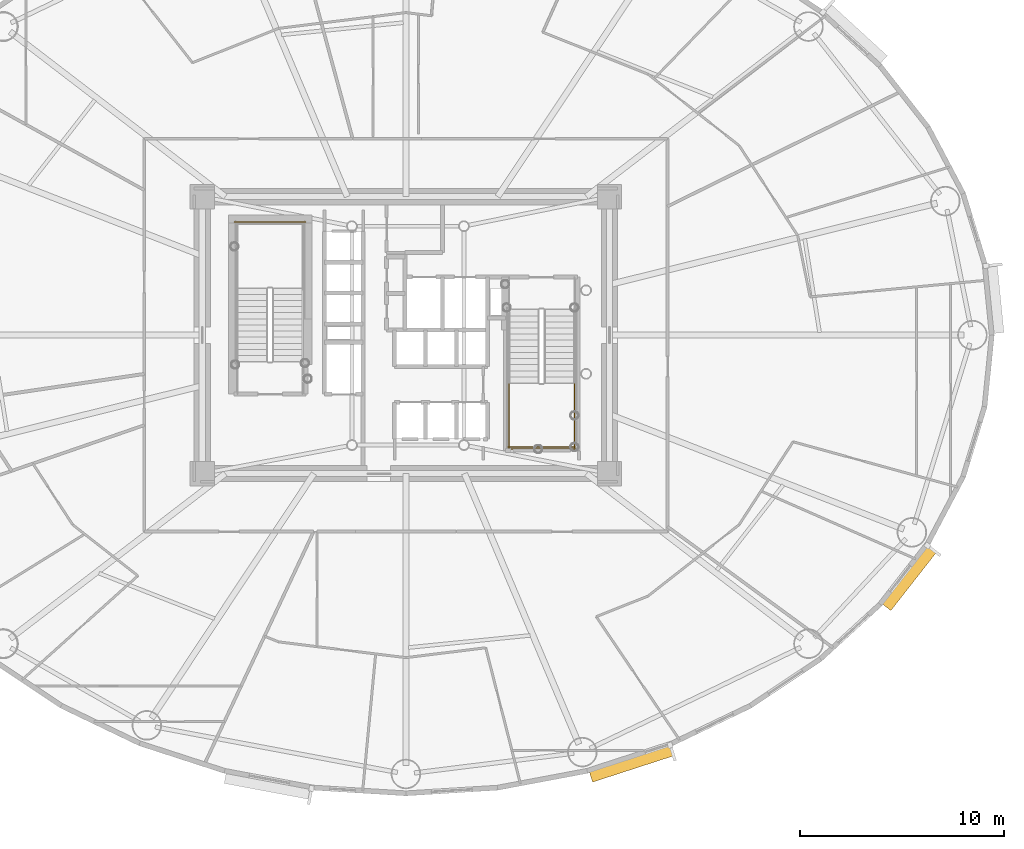
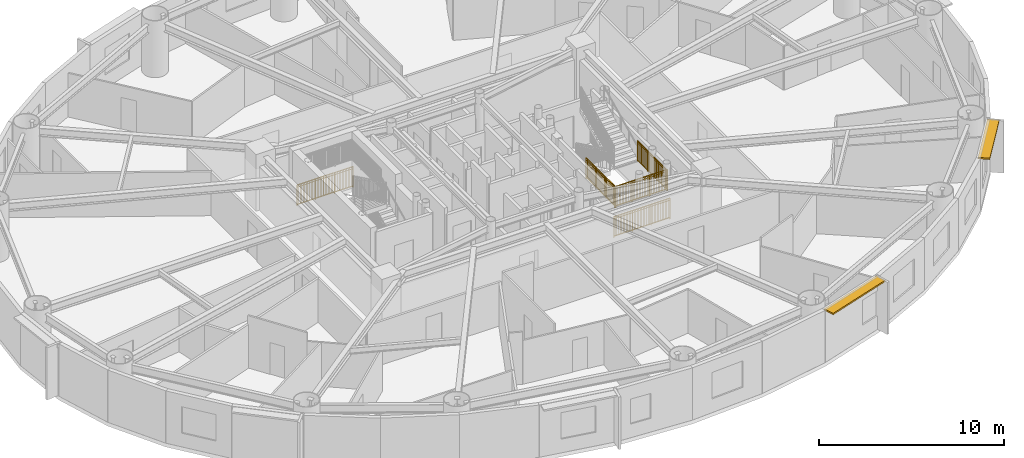
# One storey, part 15 of 17: 5 railings, 2 shading devices.
"""IFC4 building model written with IfcOpenShell, lengths in metres."""

import ifcopenshell
import ifcopenshell.guid

model = None  # the IFC model being written
_history = None  # IfcOwnerHistory: only IFC2X3 demands one
_inside = {}  # id of a spatial element -> (the spatial element, [elements in it])
_under = {}  # id of a project, library or spatial element -> (it, [spatial elements below it])
_declared = {}  # id of a project -> (the project, [libraries it declares])
_typed = {}  # id of a type object -> (the type object, [elements of that type])
_made_of = {}  # id of a material, layer set ... -> (it, [elements and type objects made of it])


def new_model(schema):
    """Start an empty IFC model of exactly this schema.

    Asked for "IFC4X3", IfcOpenShell would pick the latest addendum, in which some entities
    have other attributes; the version numbers below select the first issue.
    IFC2X3 requires an IfcOwnerHistory on every rooted entity: one is made here for all.
    """
    global model, _history
    if schema == "IFC4X3":
        model = ifcopenshell.file(schema_version=(4, 3, 0, 0))
    else:
        model = ifcopenshell.file(schema=schema)
    _inside.clear()
    _under.clear()
    _declared.clear()
    _typed.clear()
    _made_of.clear()
    _history = None
    if model.schema == "IFC2X3":
        org = make("IfcOrganization", Name="unknown")
        user = make(
            "IfcPersonAndOrganization",
            ThePerson=make("IfcPerson", FamilyName="unknown"),
            TheOrganization=org,
        )
        app = make(
            "IfcApplication",
            ApplicationDeveloper=org,
            Version="unknown",
            ApplicationFullName="unknown",
            ApplicationIdentifier="unknown",
        )
        _history = make(
            "IfcOwnerHistory",
            OwningUser=user,
            OwningApplication=app,
            ChangeAction="ADDED",
            CreationDate=0,
        )
    return model


def make(cls, **values):
    """One entity of the class cls with the attributes given. An attribute that is None is left unset."""
    return model.create_entity(
        cls, **{name: value for name, value in values.items() if value is not None}
    )


def rooted(cls, **values):
    """An entity with a GlobalId (a new one), such as an element, a storey or a relation."""
    return make(cls, GlobalId=ifcopenshell.guid.new(), OwnerHistory=_history, **values)


def si_unit(unit_type, name, prefix=None):
    """IfcSIUnit, for example si_unit("LENGTHUNIT", "METRE", prefix="MILLI")."""
    return make("IfcSIUnit", UnitType=unit_type, Prefix=prefix, Name=name)


def assignment(units):
    """IfcUnitAssignment: the units of a project."""
    return None if units is None else make("IfcUnitAssignment", Units=units)


def point(xyz):
    """IfcCartesianPoint."""
    return None if xyz is None else make("IfcCartesianPoint", Coordinates=xyz)


def direction(xyz):
    """IfcDirection."""
    return None if xyz is None else make("IfcDirection", DirectionRatios=xyz)


def frame(location, z_axis=None, x_axis=None):
    """IfcAxis2Placement3D, a coordinate frame: its origin and axes. An axis left out is left unset."""
    return make(
        "IfcAxis2Placement3D",
        Location=point(location),
        Axis=direction(z_axis),
        RefDirection=direction(x_axis),
    )


def frame_2d(location, x_axis=None):
    """IfcAxis2Placement2D, a coordinate frame in the plane: its origin and x axis."""
    return make(
        "IfcAxis2Placement2D", Location=point(location), RefDirection=direction(x_axis)
    )


def origin():
    """The frame at (0, 0, 0) with its axes left unset."""
    return frame((0.0, 0.0, 0.0))


def origin_2d():
    """The frame at (0, 0) in the plane with its x axis left unset."""
    return frame_2d((0.0, 0.0))


def place(relative_to, where):
    """IfcLocalPlacement: puts the frame where relative to a parent placement (None: the world)."""
    return make(
        "IfcLocalPlacement", PlacementRelTo=relative_to, RelativePlacement=where
    )


def context(
    kind, dimensions, precision=None, world=None, true_north=None, identifier=None
):
    """IfcGeometricRepresentationContext, for example the 3D "Model" context."""
    return make(
        "IfcGeometricRepresentationContext",
        ContextIdentifier=identifier,
        ContextType=kind,
        CoordinateSpaceDimension=dimensions,
        Precision=precision,
        WorldCoordinateSystem=world,
        TrueNorth=true_north,
    )


def subcontext(parent, identifier, kind, view, scale=None):
    """IfcGeometricRepresentationSubContext, for example "Body" below "Model"."""
    return make(
        "IfcGeometricRepresentationSubContext",
        ContextIdentifier=identifier,
        ContextType=kind,
        ParentContext=parent,
        TargetScale=scale,
        TargetView=view,
    )


def project(units=None, contexts=None):
    """IfcProject with its units and contexts."""
    return rooted(
        "IfcProject",
        Name="project",
        RepresentationContexts=contexts,
        UnitsInContext=assignment(units),
    )


def spatial(cls, under=None, at=None, **own):
    """A site, building, storey or space (cls), placed at a placement, below another one or the project."""
    s = rooted(cls, ObjectPlacement=at, **own)
    if under is not None:
        _under.setdefault(under.id(), (under, []))[1].append(s)
    return s


def profile(cls, at=None, kind="AREA", **sizes):
    """A parametric profile (cls). Its sizes go by their IFC names, for example OverallWidth=200.0."""
    return make(cls, ProfileType=kind, Position=at, **sizes)


def rectangle(**sizes):
    """IfcRectangleProfileDef."""
    return profile("IfcRectangleProfileDef", **sizes)


def extrude(swept, where, along, depth):
    """IfcExtrudedAreaSolid: the profile swept, set in the frame where, extruded along a direction by depth."""
    return make(
        "IfcExtrudedAreaSolid",
        SweptArea=swept,
        Position=where,
        ExtrudedDirection=direction(along),
        Depth=depth,
    )


def shape(context_of_items, identifier, shape_type, items):
    """IfcShapeRepresentation: the items that make up one representation, for example the "Body"."""
    return make(
        "IfcShapeRepresentation",
        ContextOfItems=context_of_items,
        RepresentationIdentifier=identifier,
        RepresentationType=shape_type,
        Items=items,
    )


def source(mapping_origin, context_of_items, identifier, shape_type, items):
    """IfcRepresentationMap: a shape defined once, which mapped items show again and again."""
    return make(
        "IfcRepresentationMap",
        MappingOrigin=mapping_origin,
        MappedRepresentation=shape(context_of_items, identifier, shape_type, items),
    )


def transform(
    local_origin,
    x_axis=None,
    y_axis=None,
    z_axis=None,
    scale=None,
    scale2=None,
    scale3=None,
    uniform=True,
):
    """IfcCartesianTransformationOperator3D, or its non-uniform kind. x_axis, y_axis, z_axis: its Axis1, 2, 3."""
    if uniform:
        return make(
            "IfcCartesianTransformationOperator3D",
            Axis1=direction(x_axis),
            Axis2=direction(y_axis),
            LocalOrigin=point(local_origin),
            Scale=scale,
            Axis3=direction(z_axis),
        )
    return make(
        "IfcCartesianTransformationOperator3DnonUniform",
        Axis1=direction(x_axis),
        Axis2=direction(y_axis),
        LocalOrigin=point(local_origin),
        Scale=scale,
        Axis3=direction(z_axis),
        Scale2=scale2,
        Scale3=scale3,
    )


def mapped(mapping_source, mapping_target):
    """IfcMappedItem: shows the shape of a source again, moved by a transform."""
    return make(
        "IfcMappedItem", MappingSource=mapping_source, MappingTarget=mapping_target
    )


def material(Name=None, Category=None):
    """IfcMaterial."""
    return make("IfcMaterial", Name=Name, Category=Category)


def layer(
    of_material, thickness, ventilated=None, Name=None, Category=None, Priority=None
):
    """IfcMaterialLayer: one layer of a wall or slab, of a material (None: an air gap)."""
    return make(
        "IfcMaterialLayer",
        Material=of_material,
        LayerThickness=thickness,
        IsVentilated=ventilated,
        Name=Name,
        Category=Category,
        Priority=Priority,
    )


def layer_set(layers, Name=None):
    """IfcMaterialLayerSet."""
    return make("IfcMaterialLayerSet", MaterialLayers=layers, LayerSetName=Name)


def made_of(thing, what):
    """Note that an element or type object is made of a material, layer set ...; save() writes the relation."""
    if what is not None:
        _made_of.setdefault(what.id(), (what, []))[1].append(thing)
    return thing


def type_object(cls, material=None, **own):
    """A type object (cls), such as IfcWallType, which elements share."""
    return made_of(rooted(cls, **own), material)


def element(
    cls,
    number,
    at=None,
    inside=None,
    cuts=None,
    type_object=None,
    material=None,
    context=None,
    identifier="Body",
    shape_type=None,
    held_by="IfcProductDefinitionShape",
    body=None,
    shapes=None,
    **own,
):
    """One element of the class cls, such as IfcWall. Its Tag is "e" and its number.

    at: its placement. inside: the storey or other place that contains it. cuts: it is an
    opening in that element (IfcRelVoidsElement). A single representation is given by context,
    identifier, shape_type and body (its items); several are given by shapes. held_by: the class
    of the entity that holds the representations. save() writes the other relations.
    """
    e = rooted(cls, Tag="e%d" % number, ObjectPlacement=at, **own)
    if body is not None:
        shapes = [shape(context, identifier, shape_type, body)]
    if shapes is not None:
        e.Representation = make(held_by, Representations=shapes)
    if inside is not None:
        _inside.setdefault(inside.id(), (inside, []))[1].append(e)
    if cuts is not None:
        rooted(
            "IfcRelVoidsElement", RelatingBuildingElement=cuts, RelatedOpeningElement=e
        )
    if type_object is not None:
        _typed.setdefault(type_object.id(), (type_object, []))[1].append(e)
    return made_of(e, material)


def aggregate(whole, parts):
    """IfcRelAggregates: a whole, such as a stair, and the parts it consists of."""
    return rooted("IfcRelAggregates", RelatingObject=whole, RelatedObjects=parts)


def save(model, path):
    """Write the relations noted so far, then the file.

    IfcRelAggregates (storeys below a building ...), IfcRelContainedInSpatialStructure (elements
    in a storey), IfcRelDefinesByType, IfcRelAssociatesMaterial and IfcRelDeclares: one each for
    every whole, place, type object, material and project.
    """
    for whole, parts in _under.values():
        aggregate(whole, parts)
    for where, things in _inside.values():
        rooted(
            "IfcRelContainedInSpatialStructure",
            RelatedElements=things,
            RelatingStructure=where,
        )
    for kind, things in _typed.values():
        rooted("IfcRelDefinesByType", RelatedObjects=things, RelatingType=kind)
    for what, things in _made_of.values():
        rooted("IfcRelAssociatesMaterial", RelatedObjects=things, RelatingMaterial=what)
    for by, libraries in _declared.values():
        rooted("IfcRelDeclares", RelatingContext=by, RelatedDefinitions=libraries)
    model.write(path)


model = new_model("IFC4")

# Units and contexts
model_context = context("Model", 3, precision=1e-05, world=origin(), true_north=direction((0.0, 1.0)))
body_context = subcontext(model_context, "Body", "Model", "MODEL_VIEW")
ifc_project = project(units=[si_unit("LENGTHUNIT", "METRE"), si_unit("AREAUNIT", "SQUARE_METRE"), si_unit("VOLUMEUNIT", "CUBIC_METRE"), si_unit("PLANEANGLEUNIT", "RADIAN"), si_unit("MASSUNIT", "GRAM", prefix="KILO")], contexts=[model_context])

# Site, building, storey
site_placement = place(None, origin())
site = spatial("IfcSite", under=ifc_project, at=site_placement, CompositionType="ELEMENT")
building_placement = place(site_placement, origin())
building = spatial("IfcBuilding", under=site, at=building_placement, Name="Linh Dai School and Residence Tower", CompositionType="ELEMENT")
storey_placement = place(building_placement, frame((0.0, 0.0, 142.199951171875)))
storey = spatial("IfcBuildingStorey", under=building, at=storey_placement, Name="L34", CompositionType="ELEMENT", Elevation=142.199951171875)

# Shading devices
ifc_material_1 = material(Name="Terracotta Ceramic Sunshade", Category="masonry")
ifc_layer = layer(ifc_material_1, 0.10009765625)
ifc_layer_set = layer_set([ifc_layer], Name="Terracotta Ceramic Sunshade")
shading_device_type = type_object("IfcShadingDeviceType", Name="SHD-TC-650", PredefinedType="USERDEFINED", material=ifc_layer_set)
shared_shape_1 = source(origin(), body_context, "Body", "SweptSolid", [
    extrude(rectangle(XDim=4.212890625, YDim=0.64990234375, at=origin_2d()), origin(), (0.0, 0.0, 1.0), 0.10009765625),
])
shading_device_1_placement = place(storey_placement, frame((47.07470703125, 6.004638671875, 3.330078125), z_axis=(0.0, 0.0, 1.0), x_axis=(-0.951217089442, -0.308522363457, 0.0)))
element("IfcShadingDevice", 1, at=shading_device_1_placement, inside=storey, type_object=shading_device_type, Name="L34 Terracotta Horizontal Sunshade Band 33", ObjectType="SUNSHADE", PredefinedType="USERDEFINED", context=body_context, shape_type="MappedRepresentation", body=[
    mapped(shared_shape_1, transform((0.0, 0.0, 0.0), x_axis=(1.0, 0.0, 0.0), y_axis=(0.0, 1.0, 0.0), z_axis=(0.0, 0.0, 1.0), scale=1.0)),
])
shared_shape_2 = source(origin(), body_context, "Body", "SweptSolid", [
    extrude(rectangle(XDim=3.67041015625, YDim=0.64990234375, at=origin_2d()), origin(), (0.0, 0.0, 1.0), 0.10009765625),
])
shading_device_2_placement = place(storey_placement, frame((60.691650390625, 15.11328125, 3.330078125), z_axis=(0.0, 0.0, 1.0), x_axis=(-0.616305017583, -0.787507539838, 0.0)))
element("IfcShadingDevice", 2, at=shading_device_2_placement, inside=storey, type_object=shading_device_type, Name="L34 Terracotta Horizontal Sunshade Band 37", ObjectType="SUNSHADE", PredefinedType="USERDEFINED", context=body_context, shape_type="MappedRepresentation", body=[
    mapped(shared_shape_2, transform((0.0, 0.0, 0.0), x_axis=(1.0, 0.0, 0.0), y_axis=(0.0, 1.0, 0.0), z_axis=(0.0, 0.0, 1.0), scale=1.0)),
])

# Railings
ifc_material_2 = material(Name="Structural Steel S355JR", Category="steel")
railing_type = type_object("IfcRailingType", Name="RL-ST-GUARD-1400", PredefinedType="GUARDRAIL", material=ifc_material_2)
shared_shape_3 = source(origin(), body_context, "Body", "SweptSolid", [
    extrude(rectangle(XDim=0.048095703125, YDim=0.048095703125, at=origin_2d()), frame((0.0, 0.0, 1.3759765625), z_axis=(-1.0, 0.0, 0.0), x_axis=(0.0, -1.0, 0.0)), (0.0, 0.0, 1.0), 3.5),
    extrude(rectangle(XDim=0.048095703125, YDim=0.048095703125, at=origin_2d()), frame((0.0, 0.0, 0.10009765625), z_axis=(-1.0, 0.0, 0.0), x_axis=(0.0, -1.0, 0.0)), (0.0, 0.0, 1.0), 3.5),
    extrude(rectangle(XDim=0.030029296875, YDim=0.030029296875, at=origin_2d()), frame((0.0, 0.0, 1.239990234375), z_axis=(-1.0, 0.0, 0.0), x_axis=(0.0, -1.0, 0.0)), (0.0, 0.0, 1.0), 3.5),
    extrude(rectangle(XDim=0.02001953125, YDim=0.02001953125, at=origin_2d()), frame((-0.09716796875, 0.0, 0.10009765625)), (0.0, 0.0, 1.0), 1.251708984375),
    extrude(rectangle(XDim=0.02001953125, YDim=0.02001953125, at=origin_2d()), frame((-0.1943359375, 0.0, 0.10009765625)), (0.0, 0.0, 1.0), 1.251708984375),
    extrude(rectangle(XDim=0.02001953125, YDim=0.02001953125, at=origin_2d()), frame((-0.291748046875, 0.0, 0.10009765625)), (0.0, 0.0, 1.0), 1.251708984375),
    extrude(rectangle(XDim=0.02001953125, YDim=0.02001953125, at=origin_2d()), frame((-0.388916015625, 0.0, 0.10009765625)), (0.0, 0.0, 1.0), 1.251708984375),
    extrude(rectangle(XDim=0.02001953125, YDim=0.02001953125, at=origin_2d()), frame((-0.486083984375, 0.0, 0.10009765625)), (0.0, 0.0, 1.0), 1.251708984375),
    extrude(rectangle(XDim=0.02001953125, YDim=0.02001953125, at=origin_2d()), frame((-0.583251953125, 0.0, 0.10009765625)), (0.0, 0.0, 1.0), 1.251708984375),
    extrude(rectangle(XDim=0.02001953125, YDim=0.02001953125, at=origin_2d()), frame((-0.6806640625, 0.0, 0.10009765625)), (0.0, 0.0, 1.0), 1.251708984375),
    extrude(rectangle(XDim=0.02001953125, YDim=0.02001953125, at=origin_2d()), frame((-0.77783203125, 0.0, 0.10009765625)), (0.0, 0.0, 1.0), 1.251708984375),
    extrude(rectangle(XDim=0.02001953125, YDim=0.02001953125, at=origin_2d()), frame((-0.875, 0.0, 0.10009765625)), (0.0, 0.0, 1.0), 1.251708984375),
    extrude(rectangle(XDim=0.02001953125, YDim=0.02001953125, at=origin_2d()), frame((-0.97216796875, 0.0, 0.10009765625)), (0.0, 0.0, 1.0), 1.251708984375),
    extrude(rectangle(XDim=0.02001953125, YDim=0.02001953125, at=origin_2d()), frame((-1.0693359375, 0.0, 0.10009765625)), (0.0, 0.0, 1.0), 1.251708984375),
    extrude(rectangle(XDim=0.02001953125, YDim=0.02001953125, at=origin_2d()), frame((-1.263916015625, 0.0, 0.10009765625)), (0.0, 0.0, 1.0), 1.251708984375),
    extrude(rectangle(XDim=0.02001953125, YDim=0.02001953125, at=origin_2d()), frame((-1.361083984375, 0.0, 0.10009765625)), (0.0, 0.0, 1.0), 1.251708984375),
    extrude(rectangle(XDim=0.02001953125, YDim=0.02001953125, at=origin_2d()), frame((-1.458251953125, 0.0, 0.10009765625)), (0.0, 0.0, 1.0), 1.251708984375),
    extrude(rectangle(XDim=0.02001953125, YDim=0.02001953125, at=origin_2d()), frame((-1.5556640625, 0.0, 0.10009765625)), (0.0, 0.0, 1.0), 1.251708984375),
    extrude(rectangle(XDim=0.02001953125, YDim=0.02001953125, at=origin_2d()), frame((-1.65283203125, 0.0, 0.10009765625)), (0.0, 0.0, 1.0), 1.251708984375),
    extrude(rectangle(XDim=0.02001953125, YDim=0.02001953125, at=origin_2d()), frame((-1.75, 0.0, 0.10009765625)), (0.0, 0.0, 1.0), 1.251708984375),
    extrude(rectangle(XDim=0.02001953125, YDim=0.02001953125, at=origin_2d()), frame((-1.84716796875, 0.0, 0.10009765625)), (0.0, 0.0, 1.0), 1.251708984375),
    extrude(rectangle(XDim=0.02001953125, YDim=0.02001953125, at=origin_2d()), frame((-1.9443359375, 0.0, 0.10009765625)), (0.0, 0.0, 1.0), 1.251708984375),
    extrude(rectangle(XDim=0.02001953125, YDim=0.02001953125, at=origin_2d()), frame((-2.041748046875, 0.0, 0.10009765625)), (0.0, 0.0, 1.0), 1.251708984375),
    extrude(rectangle(XDim=0.02001953125, YDim=0.02001953125, at=origin_2d()), frame((-2.138916015625, 0.0, 0.10009765625)), (0.0, 0.0, 1.0), 1.251708984375),
    extrude(rectangle(XDim=0.02001953125, YDim=0.02001953125, at=origin_2d()), frame((-2.236083984375, 0.0, 0.10009765625)), (0.0, 0.0, 1.0), 1.251708984375),
    extrude(rectangle(XDim=0.02001953125, YDim=0.02001953125, at=origin_2d()), frame((-2.4306640625, 0.0, 0.10009765625)), (0.0, 0.0, 1.0), 1.251708984375),
    extrude(rectangle(XDim=0.02001953125, YDim=0.02001953125, at=origin_2d()), frame((-2.52783203125, 0.0, 0.10009765625)), (0.0, 0.0, 1.0), 1.251708984375),
    extrude(rectangle(XDim=0.02001953125, YDim=0.02001953125, at=origin_2d()), frame((-2.625, 0.0, 0.10009765625)), (0.0, 0.0, 1.0), 1.251708984375),
    extrude(rectangle(XDim=0.02001953125, YDim=0.02001953125, at=origin_2d()), frame((-2.72216796875, 0.0, 0.10009765625)), (0.0, 0.0, 1.0), 1.251708984375),
    extrude(rectangle(XDim=0.02001953125, YDim=0.02001953125, at=origin_2d()), frame((-2.8193359375, 0.0, 0.10009765625)), (0.0, 0.0, 1.0), 1.251708984375),
    extrude(rectangle(XDim=0.02001953125, YDim=0.02001953125, at=origin_2d()), frame((-2.916748046875, 0.0, 0.10009765625)), (0.0, 0.0, 1.0), 1.251708984375),
    extrude(rectangle(XDim=0.02001953125, YDim=0.02001953125, at=origin_2d()), frame((-3.013916015625, 0.0, 0.10009765625)), (0.0, 0.0, 1.0), 1.251708984375),
    extrude(rectangle(XDim=0.02001953125, YDim=0.02001953125, at=origin_2d()), frame((-3.111083984375, 0.0, 0.10009765625)), (0.0, 0.0, 1.0), 1.251708984375),
    extrude(rectangle(XDim=0.02001953125, YDim=0.02001953125, at=origin_2d()), frame((-3.208251953125, 0.0, 0.10009765625)), (0.0, 0.0, 1.0), 1.251708984375),
    extrude(rectangle(XDim=0.02001953125, YDim=0.02001953125, at=origin_2d()), frame((-3.3056640625, 0.0, 0.10009765625)), (0.0, 0.0, 1.0), 1.251708984375),
    extrude(rectangle(XDim=0.02001953125, YDim=0.02001953125, at=origin_2d()), frame((-3.40283203125, 0.0, 0.10009765625)), (0.0, 0.0, 1.0), 1.251708984375),
    extrude(rectangle(XDim=0.0419921875, YDim=0.0419921875, at=origin_2d()), origin(), (0.0, 0.0, 1.0), 1.3759765625),
    extrude(rectangle(XDim=0.0419921875, YDim=0.0419921875, at=origin_2d()), frame((-1.166748046875, 0.0, 0.0)), (0.0, 0.0, 1.0), 1.3759765625),
    extrude(rectangle(XDim=0.0419921875, YDim=0.0419921875, at=origin_2d()), frame((-2.333251953125, 0.0, 0.0)), (0.0, 0.0, 1.0), 1.3759765625),
    extrude(rectangle(XDim=0.0419921875, YDim=0.0419921875, at=origin_2d()), frame((-3.5, 0.0, 0.0)), (0.0, 0.0, 1.0), 1.3759765625),
])
railing_1_placement = place(storey_placement, frame((31.080078125, 32.550048828125, 0.0)))
element("IfcRailing", 3, at=railing_1_placement, inside=storey, type_object=railing_type, Name="L34 ST1 stair guard 12", PredefinedType="GUARDRAIL", context=body_context, shape_type="MappedRepresentation", body=[
    mapped(shared_shape_3, transform((0.0, 0.0, 0.0), x_axis=(1.0, 0.0, 0.0), y_axis=(0.0, 1.0, 0.0), z_axis=(0.0, 0.0, 1.0), scale=1.0)),
])
shared_shape_4 = source(origin(), body_context, "Body", "SweptSolid", [
    extrude(rectangle(XDim=0.048095703125, YDim=0.048095703125, at=origin_2d()), frame((0.0, 0.0, 1.3759765625), z_axis=(1.0, 0.0, 0.0), x_axis=(0.0, 1.0, 0.0)), (0.0, 0.0, 1.0), 3.300048828125),
    extrude(rectangle(XDim=0.048095703125, YDim=0.048095703125, at=origin_2d()), frame((0.0, 0.0, 0.10009765625), z_axis=(1.0, 0.0, 0.0), x_axis=(0.0, 1.0, 0.0)), (0.0, 0.0, 1.0), 3.300048828125),
    extrude(rectangle(XDim=0.030029296875, YDim=0.030029296875, at=origin_2d()), frame((0.0, 0.0, 1.239990234375), z_axis=(1.0, 0.0, 0.0), x_axis=(0.0, 1.0, 0.0)), (0.0, 0.0, 1.0), 3.300048828125),
    extrude(rectangle(XDim=0.02001953125, YDim=0.02001953125, at=origin_2d()), frame((0.09716796875, 0.0, 0.10009765625)), (0.0, 0.0, 1.0), 1.251708984375),
    extrude(rectangle(XDim=0.02001953125, YDim=0.02001953125, at=origin_2d()), frame((0.194091796875, 0.0, 0.10009765625)), (0.0, 0.0, 1.0), 1.251708984375),
    extrude(rectangle(XDim=0.02001953125, YDim=0.02001953125, at=origin_2d()), frame((0.291259765625, 0.0, 0.10009765625)), (0.0, 0.0, 1.0), 1.251708984375),
    extrude(rectangle(XDim=0.02001953125, YDim=0.02001953125, at=origin_2d()), frame((0.38818359375, 0.0, 0.10009765625)), (0.0, 0.0, 1.0), 1.251708984375),
    extrude(rectangle(XDim=0.02001953125, YDim=0.02001953125, at=origin_2d()), frame((0.4853515625, 0.0, 0.10009765625)), (0.0, 0.0, 1.0), 1.251708984375),
    extrude(rectangle(XDim=0.02001953125, YDim=0.02001953125, at=origin_2d()), frame((0.582275390625, 0.0, 0.10009765625)), (0.0, 0.0, 1.0), 1.251708984375),
    extrude(rectangle(XDim=0.02001953125, YDim=0.02001953125, at=origin_2d()), frame((0.679443359375, 0.0, 0.10009765625)), (0.0, 0.0, 1.0), 1.251708984375),
    extrude(rectangle(XDim=0.02001953125, YDim=0.02001953125, at=origin_2d()), frame((0.7763671875, 0.0, 0.10009765625)), (0.0, 0.0, 1.0), 1.251708984375),
    extrude(rectangle(XDim=0.02001953125, YDim=0.02001953125, at=origin_2d()), frame((0.87353515625, 0.0, 0.10009765625)), (0.0, 0.0, 1.0), 1.251708984375),
    extrude(rectangle(XDim=0.02001953125, YDim=0.02001953125, at=origin_2d()), frame((0.970703125, 0.0, 0.10009765625)), (0.0, 0.0, 1.0), 1.251708984375),
    extrude(rectangle(XDim=0.02001953125, YDim=0.02001953125, at=origin_2d()), frame((1.164794921875, 0.0, 0.10009765625)), (0.0, 0.0, 1.0), 1.251708984375),
    extrude(rectangle(XDim=0.02001953125, YDim=0.02001953125, at=origin_2d()), frame((1.26171875, 0.0, 0.10009765625)), (0.0, 0.0, 1.0), 1.251708984375),
    extrude(rectangle(XDim=0.02001953125, YDim=0.02001953125, at=origin_2d()), frame((1.35888671875, 0.0, 0.10009765625)), (0.0, 0.0, 1.0), 1.251708984375),
    extrude(rectangle(XDim=0.02001953125, YDim=0.02001953125, at=origin_2d()), frame((1.455810546875, 0.0, 0.10009765625)), (0.0, 0.0, 1.0), 1.251708984375),
    extrude(rectangle(XDim=0.02001953125, YDim=0.02001953125, at=origin_2d()), frame((1.552978515625, 0.0, 0.10009765625)), (0.0, 0.0, 1.0), 1.251708984375),
    extrude(rectangle(XDim=0.02001953125, YDim=0.02001953125, at=origin_2d()), frame((1.64990234375, 0.0, 0.10009765625)), (0.0, 0.0, 1.0), 1.251708984375),
    extrude(rectangle(XDim=0.02001953125, YDim=0.02001953125, at=origin_2d()), frame((1.7470703125, 0.0, 0.10009765625)), (0.0, 0.0, 1.0), 1.251708984375),
    extrude(rectangle(XDim=0.02001953125, YDim=0.02001953125, at=origin_2d()), frame((1.84423828125, 0.0, 0.10009765625)), (0.0, 0.0, 1.0), 1.251708984375),
    extrude(rectangle(XDim=0.02001953125, YDim=0.02001953125, at=origin_2d()), frame((1.941162109375, 0.0, 0.10009765625)), (0.0, 0.0, 1.0), 1.251708984375),
    extrude(rectangle(XDim=0.02001953125, YDim=0.02001953125, at=origin_2d()), frame((2.038330078125, 0.0, 0.10009765625)), (0.0, 0.0, 1.0), 1.251708984375),
    extrude(rectangle(XDim=0.02001953125, YDim=0.02001953125, at=origin_2d()), frame((2.13525390625, 0.0, 0.10009765625)), (0.0, 0.0, 1.0), 1.251708984375),
    extrude(rectangle(XDim=0.02001953125, YDim=0.02001953125, at=origin_2d()), frame((2.329345703125, 0.0, 0.10009765625)), (0.0, 0.0, 1.0), 1.251708984375),
    extrude(rectangle(XDim=0.02001953125, YDim=0.02001953125, at=origin_2d()), frame((2.426513671875, 0.0, 0.10009765625)), (0.0, 0.0, 1.0), 1.251708984375),
    extrude(rectangle(XDim=0.02001953125, YDim=0.02001953125, at=origin_2d()), frame((2.523681640625, 0.0, 0.10009765625)), (0.0, 0.0, 1.0), 1.251708984375),
    extrude(rectangle(XDim=0.02001953125, YDim=0.02001953125, at=origin_2d()), frame((2.62060546875, 0.0, 0.10009765625)), (0.0, 0.0, 1.0), 1.251708984375),
    extrude(rectangle(XDim=0.02001953125, YDim=0.02001953125, at=origin_2d()), frame((2.7177734375, 0.0, 0.10009765625)), (0.0, 0.0, 1.0), 1.251708984375),
    extrude(rectangle(XDim=0.02001953125, YDim=0.02001953125, at=origin_2d()), frame((2.814697265625, 0.0, 0.10009765625)), (0.0, 0.0, 1.0), 1.251708984375),
    extrude(rectangle(XDim=0.02001953125, YDim=0.02001953125, at=origin_2d()), frame((2.911865234375, 0.0, 0.10009765625)), (0.0, 0.0, 1.0), 1.251708984375),
    extrude(rectangle(XDim=0.02001953125, YDim=0.02001953125, at=origin_2d()), frame((3.0087890625, 0.0, 0.10009765625)), (0.0, 0.0, 1.0), 1.251708984375),
    extrude(rectangle(XDim=0.02001953125, YDim=0.02001953125, at=origin_2d()), frame((3.10595703125, 0.0, 0.10009765625)), (0.0, 0.0, 1.0), 1.251708984375),
    extrude(rectangle(XDim=0.02001953125, YDim=0.02001953125, at=origin_2d()), frame((3.202880859375, 0.0, 0.10009765625)), (0.0, 0.0, 1.0), 1.251708984375),
    extrude(rectangle(XDim=0.0419921875, YDim=0.0419921875, at=origin_2d()), origin(), (0.0, 0.0, 1.0), 1.3759765625),
    extrude(rectangle(XDim=0.0419921875, YDim=0.0419921875, at=origin_2d()), frame((1.10009765625, 0.0, 0.0)), (0.0, 0.0, 1.0), 1.3759765625),
    extrude(rectangle(XDim=0.0419921875, YDim=0.0419921875, at=origin_2d()), frame((2.199951171875, 0.0, 0.0)), (0.0, 0.0, 1.0), 1.3759765625),
    extrude(rectangle(XDim=0.0419921875, YDim=0.0419921875, at=origin_2d()), frame((3.300048828125, 0.0, 0.0)), (0.0, 0.0, 1.0), 1.3759765625),
])
railing_2_placement = place(storey_placement, frame((41.02001953125, 21.5, 1.875)))
element("IfcRailing", 4, at=railing_2_placement, inside=storey, type_object=railing_type, Name="L34 ST2 stair guard 5", PredefinedType="GUARDRAIL", context=body_context, shape_type="MappedRepresentation", body=[
    mapped(shared_shape_4, transform((0.0, 0.0, 0.0), x_axis=(1.0, 0.0, 0.0), y_axis=(0.0, 1.0, 0.0), z_axis=(0.0, 0.0, 1.0), scale=1.0)),
])
shared_shape_5 = source(origin(), body_context, "Body", "SweptSolid", [
    extrude(rectangle(XDim=0.048095703125, YDim=0.048095703125, at=origin_2d()), frame((0.0, 0.0, 1.3759765625), z_axis=(1.0, 0.0, 0.0), x_axis=(0.0, 1.0, 0.0)), (0.0, 0.0, 1.0), 3.5),
    extrude(rectangle(XDim=0.048095703125, YDim=0.048095703125, at=origin_2d()), frame((0.0, 0.0, 0.10009765625), z_axis=(1.0, 0.0, 0.0), x_axis=(0.0, 1.0, 0.0)), (0.0, 0.0, 1.0), 3.5),
    extrude(rectangle(XDim=0.030029296875, YDim=0.030029296875, at=origin_2d()), frame((0.0, 0.0, 1.239990234375), z_axis=(1.0, 0.0, 0.0), x_axis=(0.0, 1.0, 0.0)), (0.0, 0.0, 1.0), 3.5),
    extrude(rectangle(XDim=0.02001953125, YDim=0.02001953125, at=origin_2d()), frame((0.09716796875, 0.0, 0.10009765625)), (0.0, 0.0, 1.0), 1.251708984375),
    extrude(rectangle(XDim=0.02001953125, YDim=0.02001953125, at=origin_2d()), frame((0.1943359375, 0.0, 0.10009765625)), (0.0, 0.0, 1.0), 1.251708984375),
    extrude(rectangle(XDim=0.02001953125, YDim=0.02001953125, at=origin_2d()), frame((0.291748046875, 0.0, 0.10009765625)), (0.0, 0.0, 1.0), 1.251708984375),
    extrude(rectangle(XDim=0.02001953125, YDim=0.02001953125, at=origin_2d()), frame((0.388916015625, 0.0, 0.10009765625)), (0.0, 0.0, 1.0), 1.251708984375),
    extrude(rectangle(XDim=0.02001953125, YDim=0.02001953125, at=origin_2d()), frame((0.486083984375, 0.0, 0.10009765625)), (0.0, 0.0, 1.0), 1.251708984375),
    extrude(rectangle(XDim=0.02001953125, YDim=0.02001953125, at=origin_2d()), frame((0.583251953125, 0.0, 0.10009765625)), (0.0, 0.0, 1.0), 1.251708984375),
    extrude(rectangle(XDim=0.02001953125, YDim=0.02001953125, at=origin_2d()), frame((0.6806640625, 0.0, 0.10009765625)), (0.0, 0.0, 1.0), 1.251708984375),
    extrude(rectangle(XDim=0.02001953125, YDim=0.02001953125, at=origin_2d()), frame((0.77783203125, 0.0, 0.10009765625)), (0.0, 0.0, 1.0), 1.251708984375),
    extrude(rectangle(XDim=0.02001953125, YDim=0.02001953125, at=origin_2d()), frame((0.875, 0.0, 0.10009765625)), (0.0, 0.0, 1.0), 1.251708984375),
    extrude(rectangle(XDim=0.02001953125, YDim=0.02001953125, at=origin_2d()), frame((0.97216796875, 0.0, 0.10009765625)), (0.0, 0.0, 1.0), 1.251708984375),
    extrude(rectangle(XDim=0.02001953125, YDim=0.02001953125, at=origin_2d()), frame((1.0693359375, 0.0, 0.10009765625)), (0.0, 0.0, 1.0), 1.251708984375),
    extrude(rectangle(XDim=0.02001953125, YDim=0.02001953125, at=origin_2d()), frame((1.263916015625, 0.0, 0.10009765625)), (0.0, 0.0, 1.0), 1.251708984375),
    extrude(rectangle(XDim=0.02001953125, YDim=0.02001953125, at=origin_2d()), frame((1.361083984375, 0.0, 0.10009765625)), (0.0, 0.0, 1.0), 1.251708984375),
    extrude(rectangle(XDim=0.02001953125, YDim=0.02001953125, at=origin_2d()), frame((1.458251953125, 0.0, 0.10009765625)), (0.0, 0.0, 1.0), 1.251708984375),
    extrude(rectangle(XDim=0.02001953125, YDim=0.02001953125, at=origin_2d()), frame((1.5556640625, 0.0, 0.10009765625)), (0.0, 0.0, 1.0), 1.251708984375),
    extrude(rectangle(XDim=0.02001953125, YDim=0.02001953125, at=origin_2d()), frame((1.65283203125, 0.0, 0.10009765625)), (0.0, 0.0, 1.0), 1.251708984375),
    extrude(rectangle(XDim=0.02001953125, YDim=0.02001953125, at=origin_2d()), frame((1.75, 0.0, 0.10009765625)), (0.0, 0.0, 1.0), 1.251708984375),
    extrude(rectangle(XDim=0.02001953125, YDim=0.02001953125, at=origin_2d()), frame((1.84716796875, 0.0, 0.10009765625)), (0.0, 0.0, 1.0), 1.251708984375),
    extrude(rectangle(XDim=0.02001953125, YDim=0.02001953125, at=origin_2d()), frame((1.9443359375, 0.0, 0.10009765625)), (0.0, 0.0, 1.0), 1.251708984375),
    extrude(rectangle(XDim=0.02001953125, YDim=0.02001953125, at=origin_2d()), frame((2.041748046875, 0.0, 0.10009765625)), (0.0, 0.0, 1.0), 1.251708984375),
    extrude(rectangle(XDim=0.02001953125, YDim=0.02001953125, at=origin_2d()), frame((2.138916015625, 0.0, 0.10009765625)), (0.0, 0.0, 1.0), 1.251708984375),
    extrude(rectangle(XDim=0.02001953125, YDim=0.02001953125, at=origin_2d()), frame((2.236083984375, 0.0, 0.10009765625)), (0.0, 0.0, 1.0), 1.251708984375),
    extrude(rectangle(XDim=0.02001953125, YDim=0.02001953125, at=origin_2d()), frame((2.4306640625, 0.0, 0.10009765625)), (0.0, 0.0, 1.0), 1.251708984375),
    extrude(rectangle(XDim=0.02001953125, YDim=0.02001953125, at=origin_2d()), frame((2.52783203125, 0.0, 0.10009765625)), (0.0, 0.0, 1.0), 1.251708984375),
    extrude(rectangle(XDim=0.02001953125, YDim=0.02001953125, at=origin_2d()), frame((2.625, 0.0, 0.10009765625)), (0.0, 0.0, 1.0), 1.251708984375),
    extrude(rectangle(XDim=0.02001953125, YDim=0.02001953125, at=origin_2d()), frame((2.72216796875, 0.0, 0.10009765625)), (0.0, 0.0, 1.0), 1.251708984375),
    extrude(rectangle(XDim=0.02001953125, YDim=0.02001953125, at=origin_2d()), frame((2.8193359375, 0.0, 0.10009765625)), (0.0, 0.0, 1.0), 1.251708984375),
    extrude(rectangle(XDim=0.02001953125, YDim=0.02001953125, at=origin_2d()), frame((2.916748046875, 0.0, 0.10009765625)), (0.0, 0.0, 1.0), 1.251708984375),
    extrude(rectangle(XDim=0.02001953125, YDim=0.02001953125, at=origin_2d()), frame((3.013916015625, 0.0, 0.10009765625)), (0.0, 0.0, 1.0), 1.251708984375),
    extrude(rectangle(XDim=0.02001953125, YDim=0.02001953125, at=origin_2d()), frame((3.111083984375, 0.0, 0.10009765625)), (0.0, 0.0, 1.0), 1.251708984375),
    extrude(rectangle(XDim=0.02001953125, YDim=0.02001953125, at=origin_2d()), frame((3.208251953125, 0.0, 0.10009765625)), (0.0, 0.0, 1.0), 1.251708984375),
    extrude(rectangle(XDim=0.02001953125, YDim=0.02001953125, at=origin_2d()), frame((3.3056640625, 0.0, 0.10009765625)), (0.0, 0.0, 1.0), 1.251708984375),
    extrude(rectangle(XDim=0.02001953125, YDim=0.02001953125, at=origin_2d()), frame((3.40283203125, 0.0, 0.10009765625)), (0.0, 0.0, 1.0), 1.251708984375),
    extrude(rectangle(XDim=0.0419921875, YDim=0.0419921875, at=origin_2d()), origin(), (0.0, 0.0, 1.0), 1.3759765625),
    extrude(rectangle(XDim=0.0419921875, YDim=0.0419921875, at=origin_2d()), frame((1.166748046875, 0.0, 0.0)), (0.0, 0.0, 1.0), 1.3759765625),
    extrude(rectangle(XDim=0.0419921875, YDim=0.0419921875, at=origin_2d()), frame((2.333251953125, 0.0, 0.0)), (0.0, 0.0, 1.0), 1.3759765625),
    extrude(rectangle(XDim=0.0419921875, YDim=0.0419921875, at=origin_2d()), frame((3.5, 0.0, 0.0)), (0.0, 0.0, 1.0), 1.3759765625),
])
railing_3_placement = place(storey_placement, frame((40.919921875, 21.39990234375, 0.0)))
element("IfcRailing", 5, at=railing_3_placement, inside=storey, type_object=railing_type, Name="L34 ST2 stair guard 12", PredefinedType="GUARDRAIL", context=body_context, shape_type="MappedRepresentation", body=[
    mapped(shared_shape_5, transform((0.0, 0.0, 0.0), x_axis=(1.0, 0.0, 0.0), y_axis=(0.0, 1.0, 0.0), z_axis=(0.0, 0.0, 1.0), scale=1.0)),
])
shared_shape_6 = source(origin(), body_context, "Body", "SweptSolid", [
    extrude(rectangle(XDim=0.048095703125, YDim=0.048095703125, at=origin_2d()), frame((0.0, 0.0, 1.3759765625), z_axis=(0.0, -1.0, 0.0), x_axis=(1.0, 0.0, 0.0)), (0.0, 0.0, 1.0), 3.199951171875),
    extrude(rectangle(XDim=0.048095703125, YDim=0.048095703125, at=origin_2d()), frame((0.0, 0.0, 0.10009765625), z_axis=(0.0, -1.0, 0.0), x_axis=(1.0, 0.0, 0.0)), (0.0, 0.0, 1.0), 3.199951171875),
    extrude(rectangle(XDim=0.030029296875, YDim=0.030029296875, at=origin_2d()), frame((0.0, 0.0, 1.239990234375), z_axis=(0.0, -1.0, 0.0), x_axis=(1.0, 0.0, 0.0)), (0.0, 0.0, 1.0), 3.199951171875),
    extrude(rectangle(XDim=0.02001953125, YDim=0.02001953125, at=origin_2d()), frame((0.0, -0.096923828125, 0.10009765625)), (0.0, 0.0, 1.0), 1.251708984375),
    extrude(rectangle(XDim=0.02001953125, YDim=0.02001953125, at=origin_2d()), frame((0.0, -0.19384765625, 0.10009765625)), (0.0, 0.0, 1.0), 1.251708984375),
    extrude(rectangle(XDim=0.02001953125, YDim=0.02001953125, at=origin_2d()), frame((0.0, -0.291015625, 0.10009765625)), (0.0, 0.0, 1.0), 1.251708984375),
    extrude(rectangle(XDim=0.02001953125, YDim=0.02001953125, at=origin_2d()), frame((0.0, -0.387939453125, 0.10009765625)), (0.0, 0.0, 1.0), 1.251708984375),
    extrude(rectangle(XDim=0.02001953125, YDim=0.02001953125, at=origin_2d()), frame((0.0, -0.48486328125, 0.10009765625)), (0.0, 0.0, 1.0), 1.251708984375),
    extrude(rectangle(XDim=0.02001953125, YDim=0.02001953125, at=origin_2d()), frame((0.0, -0.581787109375, 0.10009765625)), (0.0, 0.0, 1.0), 1.251708984375),
    extrude(rectangle(XDim=0.02001953125, YDim=0.02001953125, at=origin_2d()), frame((0.0, -0.6787109375, 0.10009765625)), (0.0, 0.0, 1.0), 1.251708984375),
    extrude(rectangle(XDim=0.02001953125, YDim=0.02001953125, at=origin_2d()), frame((0.0, -0.775634765625, 0.10009765625)), (0.0, 0.0, 1.0), 1.251708984375),
    extrude(rectangle(XDim=0.02001953125, YDim=0.02001953125, at=origin_2d()), frame((0.0, -0.872802734375, 0.10009765625)), (0.0, 0.0, 1.0), 1.251708984375),
    extrude(rectangle(XDim=0.02001953125, YDim=0.02001953125, at=origin_2d()), frame((0.0, -0.9697265625, 0.10009765625)), (0.0, 0.0, 1.0), 1.251708984375),
    extrude(rectangle(XDim=0.02001953125, YDim=0.02001953125, at=origin_2d()), frame((0.0, -1.16357421875, 0.10009765625)), (0.0, 0.0, 1.0), 1.251708984375),
    extrude(rectangle(XDim=0.02001953125, YDim=0.02001953125, at=origin_2d()), frame((0.0, -1.260498046875, 0.10009765625)), (0.0, 0.0, 1.0), 1.251708984375),
    extrude(rectangle(XDim=0.02001953125, YDim=0.02001953125, at=origin_2d()), frame((0.0, -1.357666015625, 0.10009765625)), (0.0, 0.0, 1.0), 1.251708984375),
    extrude(rectangle(XDim=0.02001953125, YDim=0.02001953125, at=origin_2d()), frame((0.0, -1.45458984375, 0.10009765625)), (0.0, 0.0, 1.0), 1.251708984375),
    extrude(rectangle(XDim=0.02001953125, YDim=0.02001953125, at=origin_2d()), frame((0.0, -1.551513671875, 0.10009765625)), (0.0, 0.0, 1.0), 1.251708984375),
    extrude(rectangle(XDim=0.02001953125, YDim=0.02001953125, at=origin_2d()), frame((0.0, -1.6484375, 0.10009765625)), (0.0, 0.0, 1.0), 1.251708984375),
    extrude(rectangle(XDim=0.02001953125, YDim=0.02001953125, at=origin_2d()), frame((0.0, -1.745361328125, 0.10009765625)), (0.0, 0.0, 1.0), 1.251708984375),
    extrude(rectangle(XDim=0.02001953125, YDim=0.02001953125, at=origin_2d()), frame((0.0, -1.84228515625, 0.10009765625)), (0.0, 0.0, 1.0), 1.251708984375),
    extrude(rectangle(XDim=0.02001953125, YDim=0.02001953125, at=origin_2d()), frame((0.0, -1.939453125, 0.10009765625)), (0.0, 0.0, 1.0), 1.251708984375),
    extrude(rectangle(XDim=0.02001953125, YDim=0.02001953125, at=origin_2d()), frame((0.0, -2.036376953125, 0.10009765625)), (0.0, 0.0, 1.0), 1.251708984375),
    extrude(rectangle(XDim=0.02001953125, YDim=0.02001953125, at=origin_2d()), frame((0.0, -2.230224609375, 0.10009765625)), (0.0, 0.0, 1.0), 1.251708984375),
    extrude(rectangle(XDim=0.02001953125, YDim=0.02001953125, at=origin_2d()), frame((0.0, -2.3271484375, 0.10009765625)), (0.0, 0.0, 1.0), 1.251708984375),
    extrude(rectangle(XDim=0.02001953125, YDim=0.02001953125, at=origin_2d()), frame((0.0, -2.42431640625, 0.10009765625)), (0.0, 0.0, 1.0), 1.251708984375),
    extrude(rectangle(XDim=0.02001953125, YDim=0.02001953125, at=origin_2d()), frame((0.0, -2.521240234375, 0.10009765625)), (0.0, 0.0, 1.0), 1.251708984375),
    extrude(rectangle(XDim=0.02001953125, YDim=0.02001953125, at=origin_2d()), frame((0.0, -2.6181640625, 0.10009765625)), (0.0, 0.0, 1.0), 1.251708984375),
    extrude(rectangle(XDim=0.02001953125, YDim=0.02001953125, at=origin_2d()), frame((0.0, -2.715087890625, 0.10009765625)), (0.0, 0.0, 1.0), 1.251708984375),
    extrude(rectangle(XDim=0.02001953125, YDim=0.02001953125, at=origin_2d()), frame((0.0, -2.81201171875, 0.10009765625)), (0.0, 0.0, 1.0), 1.251708984375),
    extrude(rectangle(XDim=0.02001953125, YDim=0.02001953125, at=origin_2d()), frame((0.0, -2.908935546875, 0.10009765625)), (0.0, 0.0, 1.0), 1.251708984375),
    extrude(rectangle(XDim=0.02001953125, YDim=0.02001953125, at=origin_2d()), frame((0.0, -3.006103515625, 0.10009765625)), (0.0, 0.0, 1.0), 1.251708984375),
    extrude(rectangle(XDim=0.02001953125, YDim=0.02001953125, at=origin_2d()), frame((0.0, -3.10302734375, 0.10009765625)), (0.0, 0.0, 1.0), 1.251708984375),
    extrude(rectangle(XDim=0.0419921875, YDim=0.0419921875, at=origin_2d()), origin(), (0.0, 0.0, 1.0), 1.3759765625),
    extrude(rectangle(XDim=0.0419921875, YDim=0.0419921875, at=origin_2d()), frame((0.0, -1.066650390625, 0.0)), (0.0, 0.0, 1.0), 1.3759765625),
    extrude(rectangle(XDim=0.0419921875, YDim=0.0419921875, at=origin_2d()), frame((0.0, -2.13330078125, 0.0)), (0.0, 0.0, 1.0), 1.3759765625),
    extrude(rectangle(XDim=0.0419921875, YDim=0.0419921875, at=origin_2d()), frame((0.0, -3.199951171875, 0.0)), (0.0, 0.0, 1.0), 1.3759765625),
])
for number, where, name in (
    (6, (41.070068359375, 24.64990234375, 1.875), "L34 ST2 stair guard 3"),
    (7, (44.27001953125, 24.64990234375, 1.875), "L34 ST2 stair guard 4"),
):
    element("IfcRailing", number, at=place(storey_placement, frame(where)), inside=storey, type_object=railing_type, Name=name, PredefinedType="GUARDRAIL", context=body_context, shape_type="MappedRepresentation", body=[
        mapped(shared_shape_6, transform((0.0, 0.0, 0.0), x_axis=(1.0, 0.0, 0.0), y_axis=(0.0, 1.0, 0.0), z_axis=(0.0, 0.0, 1.0), scale=1.0)),
    ])

save(model, "model.ifc")
